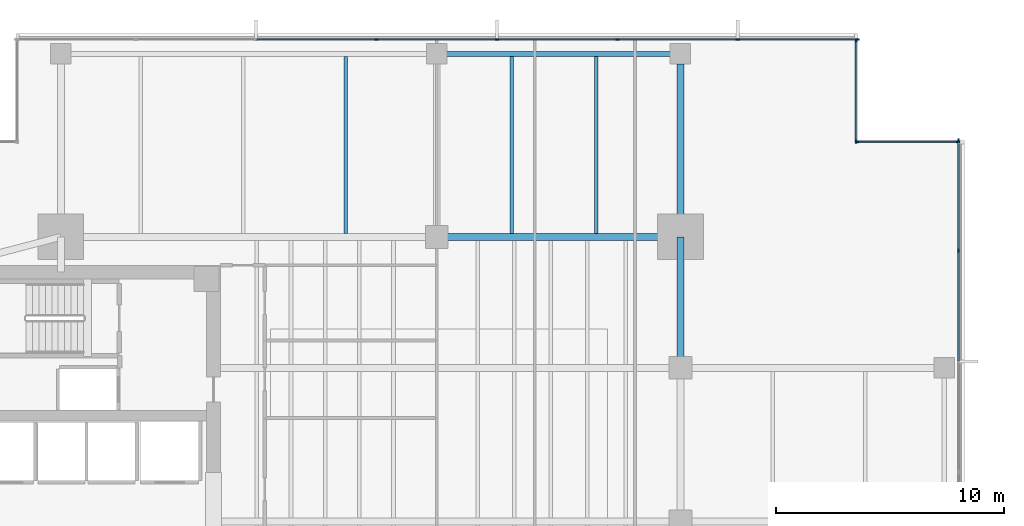
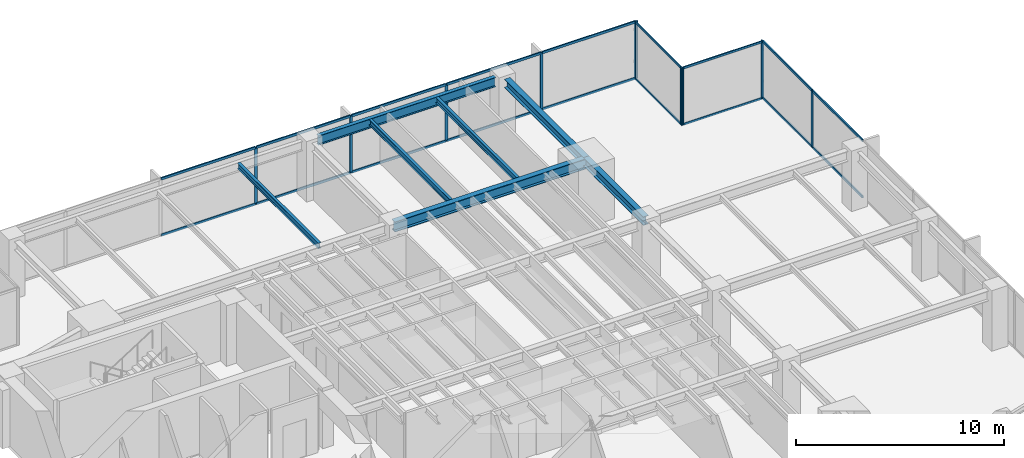
# One storey, part 6 of 14: 29 members, 7 beams, 4 elements without a shape of their own.
"""IFC4 building model written with IfcOpenShell, lengths in metres."""

import ifcopenshell
import ifcopenshell.guid

model = None  # the IFC model being written
_history = None  # IfcOwnerHistory: only IFC2X3 demands one
_inside = {}  # id of a spatial element -> (the spatial element, [elements in it])
_under = {}  # id of a project, library or spatial element -> (it, [spatial elements below it])
_declared = {}  # id of a project -> (the project, [libraries it declares])
_typed = {}  # id of a type object -> (the type object, [elements of that type])
_made_of = {}  # id of a material, layer set ... -> (it, [elements and type objects made of it])


def new_model(schema):
    """Start an empty IFC model of exactly this schema.

    Asked for "IFC4X3", IfcOpenShell would pick the latest addendum, in which some entities
    have other attributes; the version numbers below select the first issue.
    IFC2X3 requires an IfcOwnerHistory on every rooted entity: one is made here for all.
    """
    global model, _history
    if schema == "IFC4X3":
        model = ifcopenshell.file(schema_version=(4, 3, 0, 0))
    else:
        model = ifcopenshell.file(schema=schema)
    _inside.clear()
    _under.clear()
    _declared.clear()
    _typed.clear()
    _made_of.clear()
    _history = None
    if model.schema == "IFC2X3":
        org = make("IfcOrganization", Name="unknown")
        user = make(
            "IfcPersonAndOrganization",
            ThePerson=make("IfcPerson", FamilyName="unknown"),
            TheOrganization=org,
        )
        app = make(
            "IfcApplication",
            ApplicationDeveloper=org,
            Version="unknown",
            ApplicationFullName="unknown",
            ApplicationIdentifier="unknown",
        )
        _history = make(
            "IfcOwnerHistory",
            OwningUser=user,
            OwningApplication=app,
            ChangeAction="ADDED",
            CreationDate=0,
        )
    return model


def make(cls, **values):
    """One entity of the class cls with the attributes given. An attribute that is None is left unset."""
    return model.create_entity(
        cls, **{name: value for name, value in values.items() if value is not None}
    )


def rooted(cls, **values):
    """An entity with a GlobalId (a new one), such as an element, a storey or a relation."""
    return make(cls, GlobalId=ifcopenshell.guid.new(), OwnerHistory=_history, **values)


def si_unit(unit_type, name, prefix=None):
    """IfcSIUnit, for example si_unit("LENGTHUNIT", "METRE", prefix="MILLI")."""
    return make("IfcSIUnit", UnitType=unit_type, Prefix=prefix, Name=name)


def assignment(units):
    """IfcUnitAssignment: the units of a project."""
    return None if units is None else make("IfcUnitAssignment", Units=units)


def point(xyz):
    """IfcCartesianPoint."""
    return None if xyz is None else make("IfcCartesianPoint", Coordinates=xyz)


def direction(xyz):
    """IfcDirection."""
    return None if xyz is None else make("IfcDirection", DirectionRatios=xyz)


def frame(location, z_axis=None, x_axis=None):
    """IfcAxis2Placement3D, a coordinate frame: its origin and axes. An axis left out is left unset."""
    return make(
        "IfcAxis2Placement3D",
        Location=point(location),
        Axis=direction(z_axis),
        RefDirection=direction(x_axis),
    )


def frame_2d(location, x_axis=None):
    """IfcAxis2Placement2D, a coordinate frame in the plane: its origin and x axis."""
    return make(
        "IfcAxis2Placement2D", Location=point(location), RefDirection=direction(x_axis)
    )


def origin():
    """The frame at (0, 0, 0) with its axes left unset."""
    return frame((0.0, 0.0, 0.0))


def origin_2d():
    """The frame at (0, 0) in the plane with its x axis left unset."""
    return frame_2d((0.0, 0.0))


def place(relative_to, where):
    """IfcLocalPlacement: puts the frame where relative to a parent placement (None: the world)."""
    return make(
        "IfcLocalPlacement", PlacementRelTo=relative_to, RelativePlacement=where
    )


def context(
    kind, dimensions, precision=None, world=None, true_north=None, identifier=None
):
    """IfcGeometricRepresentationContext, for example the 3D "Model" context."""
    return make(
        "IfcGeometricRepresentationContext",
        ContextIdentifier=identifier,
        ContextType=kind,
        CoordinateSpaceDimension=dimensions,
        Precision=precision,
        WorldCoordinateSystem=world,
        TrueNorth=true_north,
    )


def subcontext(parent, identifier, kind, view, scale=None):
    """IfcGeometricRepresentationSubContext, for example "Body" below "Model"."""
    return make(
        "IfcGeometricRepresentationSubContext",
        ContextIdentifier=identifier,
        ContextType=kind,
        ParentContext=parent,
        TargetScale=scale,
        TargetView=view,
    )


def project(units=None, contexts=None):
    """IfcProject with its units and contexts."""
    return rooted(
        "IfcProject",
        Name="project",
        RepresentationContexts=contexts,
        UnitsInContext=assignment(units),
    )


def spatial(cls, under=None, at=None, **own):
    """A site, building, storey or space (cls), placed at a placement, below another one or the project."""
    s = rooted(cls, ObjectPlacement=at, **own)
    if under is not None:
        _under.setdefault(under.id(), (under, []))[1].append(s)
    return s


def profile(cls, at=None, kind="AREA", **sizes):
    """A parametric profile (cls). Its sizes go by their IFC names, for example OverallWidth=200.0."""
    return make(cls, ProfileType=kind, Position=at, **sizes)


def rectangle(**sizes):
    """IfcRectangleProfileDef."""
    return profile("IfcRectangleProfileDef", **sizes)


def i_section(**sizes):
    """IfcIShapeProfileDef."""
    return profile("IfcIShapeProfileDef", **sizes)


def extrude(swept, where, along, depth):
    """IfcExtrudedAreaSolid: the profile swept, set in the frame where, extruded along a direction by depth."""
    return make(
        "IfcExtrudedAreaSolid",
        SweptArea=swept,
        Position=where,
        ExtrudedDirection=direction(along),
        Depth=depth,
    )


def shape(context_of_items, identifier, shape_type, items):
    """IfcShapeRepresentation: the items that make up one representation, for example the "Body"."""
    return make(
        "IfcShapeRepresentation",
        ContextOfItems=context_of_items,
        RepresentationIdentifier=identifier,
        RepresentationType=shape_type,
        Items=items,
    )


def material(Name=None, Category=None):
    """IfcMaterial."""
    return make("IfcMaterial", Name=Name, Category=Category)


def layer(
    of_material, thickness, ventilated=None, Name=None, Category=None, Priority=None
):
    """IfcMaterialLayer: one layer of a wall or slab, of a material (None: an air gap)."""
    return make(
        "IfcMaterialLayer",
        Material=of_material,
        LayerThickness=thickness,
        IsVentilated=ventilated,
        Name=Name,
        Category=Category,
        Priority=Priority,
    )


def layer_set(layers, Name=None):
    """IfcMaterialLayerSet."""
    return make("IfcMaterialLayerSet", MaterialLayers=layers, LayerSetName=Name)


def material_profile(
    of_material, cross_section, Name=None, Category=None, Priority=None
):
    """IfcMaterialProfile: a cross section and its material."""
    return make(
        "IfcMaterialProfile",
        Name=Name,
        Material=of_material,
        Profile=cross_section,
        Priority=Priority,
        Category=Category,
    )


def profile_set(profiles, Name=None, composite=None):
    """IfcMaterialProfileSet."""
    return make(
        "IfcMaterialProfileSet",
        Name=Name,
        MaterialProfiles=profiles,
        CompositeProfile=composite,
    )


def made_of(thing, what):
    """Note that an element or type object is made of a material, layer set ...; save() writes the relation."""
    if what is not None:
        _made_of.setdefault(what.id(), (what, []))[1].append(thing)
    return thing


def type_object(cls, material=None, **own):
    """A type object (cls), such as IfcWallType, which elements share."""
    return made_of(rooted(cls, **own), material)


def element(
    cls,
    number,
    at=None,
    inside=None,
    cuts=None,
    type_object=None,
    material=None,
    context=None,
    identifier="Body",
    shape_type=None,
    held_by="IfcProductDefinitionShape",
    body=None,
    shapes=None,
    **own,
):
    """One element of the class cls, such as IfcWall. Its Tag is "e" and its number.

    at: its placement. inside: the storey or other place that contains it. cuts: it is an
    opening in that element (IfcRelVoidsElement). A single representation is given by context,
    identifier, shape_type and body (its items); several are given by shapes. held_by: the class
    of the entity that holds the representations. save() writes the other relations.
    """
    e = rooted(cls, Tag="e%d" % number, ObjectPlacement=at, **own)
    if body is not None:
        shapes = [shape(context, identifier, shape_type, body)]
    if shapes is not None:
        e.Representation = make(held_by, Representations=shapes)
    if inside is not None:
        _inside.setdefault(inside.id(), (inside, []))[1].append(e)
    if cuts is not None:
        rooted(
            "IfcRelVoidsElement", RelatingBuildingElement=cuts, RelatedOpeningElement=e
        )
    if type_object is not None:
        _typed.setdefault(type_object.id(), (type_object, []))[1].append(e)
    return made_of(e, material)


def aggregate(whole, parts):
    """IfcRelAggregates: a whole, such as a stair, and the parts it consists of."""
    return rooted("IfcRelAggregates", RelatingObject=whole, RelatedObjects=parts)


def save(model, path):
    """Write the relations noted so far, then the file.

    IfcRelAggregates (storeys below a building ...), IfcRelContainedInSpatialStructure (elements
    in a storey), IfcRelDefinesByType, IfcRelAssociatesMaterial and IfcRelDeclares: one each for
    every whole, place, type object, material and project.
    """
    for whole, parts in _under.values():
        aggregate(whole, parts)
    for where, things in _inside.values():
        rooted(
            "IfcRelContainedInSpatialStructure",
            RelatedElements=things,
            RelatingStructure=where,
        )
    for kind, things in _typed.values():
        rooted("IfcRelDefinesByType", RelatedObjects=things, RelatingType=kind)
    for what, things in _made_of.values():
        rooted("IfcRelAssociatesMaterial", RelatedObjects=things, RelatingMaterial=what)
    for by, libraries in _declared.values():
        rooted("IfcRelDeclares", RelatingContext=by, RelatedDefinitions=libraries)
    model.write(path)


model = new_model("IFC4")

# Units and contexts
model_context = context("Model", 3, precision=1e-05, world=origin(), true_north=direction((0.0, 1.0)))
body_context = subcontext(model_context, "Body", "Model", "MODEL_VIEW")
ifc_project = project(units=[si_unit("LENGTHUNIT", "METRE"), si_unit("AREAUNIT", "SQUARE_METRE"), si_unit("VOLUMEUNIT", "CUBIC_METRE"), si_unit("PLANEANGLEUNIT", "RADIAN"), si_unit("MASSUNIT", "GRAM", prefix="KILO")], contexts=[model_context])

# Site, building, storey
site_placement = place(None, origin())
site = spatial("IfcSite", under=ifc_project, at=site_placement, CompositionType="ELEMENT")
building_placement = place(site_placement, origin())
building = spatial("IfcBuilding", under=site, at=building_placement, Name="Kinhvarn Gate Tower", CompositionType="ELEMENT")
storey_placement = place(building_placement, frame((0.0, 0.0, 134.199951171875)))
storey = spatial("IfcBuildingStorey", under=building, at=storey_placement, Name="L35", CompositionType="ELEMENT", Elevation=134.199951171875)

# Curtain wall, members
ifc_material_1 = material(Name="Anodised aluminium AW-6063", Category="aluminium")
ifc_layer_1 = layer(ifc_material_1, 0.179931640625)
ifc_layer_set_1 = layer_set([ifc_layer_1], Name="Anodised aluminium AW-6063")
curtain_wall_type_1 = type_object("IfcCurtainWallType", Name="CW-SYS-3", PredefinedType="NOTDEFINED", material=ifc_layer_set_1)
curtain_wall_1_placement = place(storey_placement, origin())
curtain_wall_1 = element("IfcCurtainWall", 1, at=curtain_wall_1_placement, inside=storey, type_object=curtain_wall_type_1, Name="Curtain Wall CW3 (L35)", PredefinedType="NOTDEFINED")
ifc_material_profile_1 = material_profile(ifc_material_1, rectangle(XDim=0.06494140625, YDim=0.159912109375, at=origin_2d()), Name="ALU 65x160")
ifc_profile_set_1 = profile_set([ifc_material_profile_1], Name="Anodised aluminium AW-6063")
member_type_1 = type_object("IfcMemberType", Name="CW-MUL-160", PredefinedType="MULLION", material=ifc_profile_set_1)
member_1_placement = place(storey_placement, frame((45.967529296875, 46.409912109375, 0.0), z_axis=(0.0, 0.0, 1.0), x_axis=(0.0, -1.0, 0.0)))
member_1 = element("IfcMember", 2, at=member_1_placement, type_object=member_type_1, Name="CW3 mullion 1", PredefinedType="MULLION", context=body_context, shape_type="SweptSolid", body=[
    extrude(rectangle(XDim=0.06494140625, YDim=0.159912109375, at=origin_2d()), origin(), (0.0, 0.0, 1.0), 3.3701171875),
])
member_2_placement = place(storey_placement, frame((40.71435546875, 46.409912109375, 0.0), z_axis=(0.0, 0.0, 1.0), x_axis=(0.0, -1.0, 0.0)))
member_2 = element("IfcMember", 3, at=member_2_placement, type_object=member_type_1, Name="CW3 mullion 2", PredefinedType="MULLION", context=body_context, shape_type="SweptSolid", body=[
    extrude(rectangle(XDim=0.06494140625, YDim=0.159912109375, at=origin_2d()), origin(), (0.0, 0.0, 1.0), 3.3701171875),
])
member_3_placement = place(storey_placement, frame((35.428466796875, 46.409912109375, 0.0), z_axis=(0.0, 0.0, 1.0), x_axis=(0.0, -1.0, 0.0)))
member_3 = element("IfcMember", 4, at=member_3_placement, type_object=member_type_1, Name="CW3 mullion 3", PredefinedType="MULLION", context=body_context, shape_type="SweptSolid", body=[
    extrude(rectangle(XDim=0.06494140625, YDim=0.159912109375, at=origin_2d()), origin(), (0.0, 0.0, 1.0), 3.3701171875),
])
member_4_placement = place(storey_placement, frame((30.142822265625, 46.409912109375, 0.0), z_axis=(0.0, 0.0, 1.0), x_axis=(0.0, -1.0, 0.0)))
member_4 = element("IfcMember", 5, at=member_4_placement, type_object=member_type_1, Name="CW3 mullion 4", PredefinedType="MULLION", context=body_context, shape_type="SweptSolid", body=[
    extrude(rectangle(XDim=0.06494140625, YDim=0.159912109375, at=origin_2d()), origin(), (0.0, 0.0, 1.0), 3.3701171875),
])
member_5_placement = place(storey_placement, frame((24.857177734375, 46.409912109375, 0.0), z_axis=(0.0, 0.0, 1.0), x_axis=(0.0, -1.0, 0.0)))
member_5 = element("IfcMember", 6, at=member_5_placement, type_object=member_type_1, Name="CW3 mullion 5", PredefinedType="MULLION", context=body_context, shape_type="SweptSolid", body=[
    extrude(rectangle(XDim=0.06494140625, YDim=0.159912109375, at=origin_2d()), origin(), (0.0, 0.0, 1.0), 3.3701171875),
])

curtain_wall_2_placement = place(storey_placement, origin())
curtain_wall_2 = element("IfcCurtainWall", 7, at=curtain_wall_2_placement, inside=storey, type_object=curtain_wall_type_1, Name="Curtain Wall CW3 (L35)", PredefinedType="NOTDEFINED")
member_6_placement = place(storey_placement, frame((50.409912109375, 37.142822265625, 0.0), z_axis=(0.0, 0.0, 1.0), x_axis=(-1.0, 0.0, 0.0)))
member_6 = element("IfcMember", 8, at=member_6_placement, type_object=member_type_1, Name="CW3 mullion 7", PredefinedType="MULLION", context=body_context, shape_type="SweptSolid", body=[
    extrude(rectangle(XDim=0.06494140625, YDim=0.159912109375, at=origin_2d()), origin(), (0.0, 0.0, 1.0), 3.3701171875),
])
member_7_placement = place(storey_placement, frame((50.409912109375, 41.967529296875, 0.0), z_axis=(0.0, 0.0, 1.0), x_axis=(-1.0, 0.0, 0.0)))
member_7 = element("IfcMember", 9, at=member_7_placement, type_object=member_type_1, Name="CW3 mullion 8", PredefinedType="MULLION", context=body_context, shape_type="SweptSolid", body=[
    extrude(rectangle(XDim=0.06494140625, YDim=0.159912109375, at=origin_2d()), origin(), (0.0, 0.0, 1.0), 3.3701171875),
])

ifc_layer_2 = layer(ifc_material_1, 0.179931640625)
ifc_layer_set_2 = layer_set([ifc_layer_2], Name="Anodised aluminium AW-6063")
curtain_wall_type_2 = type_object("IfcCurtainWallType", Name="CW-SYS-4", PredefinedType="NOTDEFINED", material=ifc_layer_set_2)
curtain_wall_3_placement = place(storey_placement, origin())
curtain_wall_3 = element("IfcCurtainWall", 10, at=curtain_wall_3_placement, inside=storey, type_object=curtain_wall_type_2, Name="Curtain Wall CW4 (L35)", PredefinedType="NOTDEFINED")
member_8_placement = place(storey_placement, frame((50.37744140625, 41.909912109375, 0.0), z_axis=(0.0, 0.0, 1.0), x_axis=(0.0, -1.0, 0.0)))
member_8 = element("IfcMember", 11, at=member_8_placement, type_object=member_type_1, Name="CW4 mullion 1", PredefinedType="MULLION", context=body_context, shape_type="SweptSolid", body=[
    extrude(rectangle(XDim=0.06494140625, YDim=0.159912109375, at=origin_2d()), origin(), (0.0, 0.0, 1.0), 3.3701171875),
])
member_9_placement = place(storey_placement, frame((45.9423828125, 41.909912109375, 0.0), z_axis=(0.0, 0.0, 1.0), x_axis=(0.0, -1.0, 0.0)))
member_9 = element("IfcMember", 12, at=member_9_placement, type_object=member_type_1, Name="CW4 mullion 2", PredefinedType="MULLION", context=body_context, shape_type="SweptSolid", body=[
    extrude(rectangle(XDim=0.06494140625, YDim=0.159912109375, at=origin_2d()), origin(), (0.0, 0.0, 1.0), 3.3701171875),
])

curtain_wall_4_placement = place(storey_placement, origin())
curtain_wall_4 = element("IfcCurtainWall", 13, at=curtain_wall_4_placement, inside=storey, type_object=curtain_wall_type_2, Name="Curtain Wall CW4 (L35)", PredefinedType="NOTDEFINED")
member_10_placement = place(storey_placement, frame((45.909912109375, 41.9423828125, 0.0), z_axis=(0.0, 0.0, 1.0), x_axis=(-1.0, 0.0, 0.0)))
member_10 = element("IfcMember", 14, at=member_10_placement, type_object=member_type_1, Name="CW4 mullion 1", PredefinedType="MULLION", context=body_context, shape_type="SweptSolid", body=[
    extrude(rectangle(XDim=0.06494140625, YDim=0.159912109375, at=origin_2d()), origin(), (0.0, 0.0, 1.0), 3.3701171875),
])
member_11_placement = place(storey_placement, frame((45.909912109375, 46.37744140625, 0.0), z_axis=(0.0, 0.0, 1.0), x_axis=(-1.0, 0.0, 0.0)))
member_11 = element("IfcMember", 15, at=member_11_placement, type_object=member_type_1, Name="CW4 mullion 2", PredefinedType="MULLION", context=body_context, shape_type="SweptSolid", body=[
    extrude(rectangle(XDim=0.06494140625, YDim=0.159912109375, at=origin_2d()), origin(), (0.0, 0.0, 1.0), 3.3701171875),
])

# Member
ifc_material_profile_2 = material_profile(ifc_material_1, rectangle(XDim=0.06494140625, YDim=0.1201171875, at=origin_2d()), Name="ALU 65x120")
ifc_profile_set_2 = profile_set([ifc_material_profile_2], Name="Anodised aluminium AW-6063")
member_type_2 = type_object("IfcMemberType", Name="CW-TRN-120", PredefinedType="USERDEFINED", material=ifc_profile_set_2)
member_12_placement = place(storey_placement, frame((50.344970703125, 41.909912109375, 0.032470703125), z_axis=(-1.0, 0.0, 0.0), x_axis=(0.0, -1.0, 0.0)))
member_12 = element("IfcMember", 16, at=member_12_placement, type_object=member_type_2, Name="CW4 transom 1.1", ObjectType="TRANSOM", PredefinedType="USERDEFINED", context=body_context, shape_type="SweptSolid", body=[
    extrude(rectangle(XDim=0.06494140625, YDim=0.1201171875, at=origin_2d()), origin(), (0.0, 0.0, 1.0), 4.369873046875),
])

member_13_placement = place(storey_placement, frame((50.344970703125, 41.909912109375, 3.337646484375), z_axis=(-1.0, 0.0, 0.0), x_axis=(0.0, -1.0, 0.0)))
member_13 = element("IfcMember", 17, at=member_13_placement, type_object=member_type_2, Name="CW4 transom 1.2", ObjectType="TRANSOM", PredefinedType="USERDEFINED", context=body_context, shape_type="SweptSolid", body=[
    extrude(rectangle(XDim=0.06494140625, YDim=0.1201171875, at=origin_2d()), origin(), (0.0, 0.0, 1.0), 4.369873046875),
])

aggregate(curtain_wall_3, [member_8, member_9, member_12, member_13])

member_14_placement = place(storey_placement, frame((45.909912109375, 41.97509765625, 0.032470703125), z_axis=(0.0, 1.0, 0.0), x_axis=(-1.0, 0.0, 0.0)))
member_14 = element("IfcMember", 18, at=member_14_placement, type_object=member_type_2, Name="CW4 transom 1.1", ObjectType="TRANSOM", PredefinedType="USERDEFINED", context=body_context, shape_type="SweptSolid", body=[
    extrude(rectangle(XDim=0.06494140625, YDim=0.1201171875, at=origin_2d()), origin(), (0.0, 0.0, 1.0), 4.369873046875),
])

member_15_placement = place(storey_placement, frame((45.909912109375, 41.97509765625, 3.337646484375), z_axis=(0.0, 1.0, 0.0), x_axis=(-1.0, 0.0, 0.0)))
member_15 = element("IfcMember", 19, at=member_15_placement, type_object=member_type_2, Name="CW4 transom 1.2", ObjectType="TRANSOM", PredefinedType="USERDEFINED", context=body_context, shape_type="SweptSolid", body=[
    extrude(rectangle(XDim=0.06494140625, YDim=0.1201171875, at=origin_2d()), origin(), (0.0, 0.0, 1.0), 4.369873046875),
])

aggregate(curtain_wall_4, [member_10, member_11, member_14, member_15])

ifc_material_profile_3 = material_profile(ifc_material_1, rectangle(XDim=0.070068359375, YDim=0.139892578125, at=origin_2d()), Name="ALU 70x140")
ifc_profile_set_3 = profile_set([ifc_material_profile_3], Name="Anodised aluminium AW-6063")
member_type_3 = type_object("IfcMemberType", Name="CW-TRN-140", PredefinedType="USERDEFINED", material=ifc_profile_set_3)
member_16_placement = place(storey_placement, frame((45.93505859375, 46.409912109375, 0.03515625), z_axis=(-1.0, 0.0, 0.0), x_axis=(0.0, -1.0, 0.0)))
member_16 = element("IfcMember", 20, at=member_16_placement, type_object=member_type_3, Name="CW3 transom 1.1", ObjectType="TRANSOM", PredefinedType="USERDEFINED", context=body_context, shape_type="SweptSolid", body=[
    extrude(rectangle(XDim=0.070068359375, YDim=0.139892578125, at=origin_2d()), origin(), (0.0, 0.0, 1.0), 5.188232421875),
])

member_17_placement = place(storey_placement, frame((45.93505859375, 46.409912109375, 3.3349609375), z_axis=(-1.0, 0.0, 0.0), x_axis=(0.0, -1.0, 0.0)))
member_17 = element("IfcMember", 21, at=member_17_placement, type_object=member_type_3, Name="CW3 transom 1.2", ObjectType="TRANSOM", PredefinedType="USERDEFINED", context=body_context, shape_type="SweptSolid", body=[
    extrude(rectangle(XDim=0.070068359375, YDim=0.139892578125, at=origin_2d()), origin(), (0.0, 0.0, 1.0), 5.188232421875),
])

member_18_placement = place(storey_placement, frame((40.681884765625, 46.409912109375, 0.03515625), z_axis=(-1.0, 0.0, 0.0), x_axis=(0.0, -1.0, 0.0)))
member_18 = element("IfcMember", 22, at=member_18_placement, type_object=member_type_3, Name="CW3 transom 2.1", ObjectType="TRANSOM", PredefinedType="USERDEFINED", context=body_context, shape_type="SweptSolid", body=[
    extrude(rectangle(XDim=0.070068359375, YDim=0.139892578125, at=origin_2d()), origin(), (0.0, 0.0, 1.0), 5.220703125),
])

member_19_placement = place(storey_placement, frame((40.681884765625, 46.409912109375, 3.3349609375), z_axis=(-1.0, 0.0, 0.0), x_axis=(0.0, -1.0, 0.0)))
member_19 = element("IfcMember", 23, at=member_19_placement, type_object=member_type_3, Name="CW3 transom 2.2", ObjectType="TRANSOM", PredefinedType="USERDEFINED", context=body_context, shape_type="SweptSolid", body=[
    extrude(rectangle(XDim=0.070068359375, YDim=0.139892578125, at=origin_2d()), origin(), (0.0, 0.0, 1.0), 5.220703125),
])

member_20_placement = place(storey_placement, frame((35.39599609375, 46.409912109375, 0.03515625), z_axis=(-1.0, 0.0, 0.0), x_axis=(0.0, -1.0, 0.0)))
member_20 = element("IfcMember", 24, at=member_20_placement, type_object=member_type_3, Name="CW3 transom 3.1", ObjectType="TRANSOM", PredefinedType="USERDEFINED", context=body_context, shape_type="SweptSolid", body=[
    extrude(rectangle(XDim=0.070068359375, YDim=0.139892578125, at=origin_2d()), origin(), (0.0, 0.0, 1.0), 5.220703125),
])

member_21_placement = place(storey_placement, frame((35.39599609375, 46.409912109375, 3.3349609375), z_axis=(-1.0, 0.0, 0.0), x_axis=(0.0, -1.0, 0.0)))
member_21 = element("IfcMember", 25, at=member_21_placement, type_object=member_type_3, Name="CW3 transom 3.2", ObjectType="TRANSOM", PredefinedType="USERDEFINED", context=body_context, shape_type="SweptSolid", body=[
    extrude(rectangle(XDim=0.070068359375, YDim=0.139892578125, at=origin_2d()), origin(), (0.0, 0.0, 1.0), 5.220703125),
])

member_22_placement = place(storey_placement, frame((30.1103515625, 46.409912109375, 0.03515625), z_axis=(-1.0, 0.0, 0.0), x_axis=(0.0, -1.0, 0.0)))
member_22 = element("IfcMember", 26, at=member_22_placement, type_object=member_type_3, Name="CW3 transom 4.1", ObjectType="TRANSOM", PredefinedType="USERDEFINED", context=body_context, shape_type="SweptSolid", body=[
    extrude(rectangle(XDim=0.070068359375, YDim=0.139892578125, at=origin_2d()), origin(), (0.0, 0.0, 1.0), 5.220703125),
])

member_23_placement = place(storey_placement, frame((30.1103515625, 46.409912109375, 3.3349609375), z_axis=(-1.0, 0.0, 0.0), x_axis=(0.0, -1.0, 0.0)))
member_23 = element("IfcMember", 27, at=member_23_placement, type_object=member_type_3, Name="CW3 transom 4.2", ObjectType="TRANSOM", PredefinedType="USERDEFINED", context=body_context, shape_type="SweptSolid", body=[
    extrude(rectangle(XDim=0.070068359375, YDim=0.139892578125, at=origin_2d()), origin(), (0.0, 0.0, 1.0), 5.220703125),
])

member_24_placement = place(storey_placement, frame((24.82470703125, 46.409912109375, 0.03515625), z_axis=(-1.0, 0.0, 0.0), x_axis=(0.0, -1.0, 0.0)))
member_24 = element("IfcMember", 28, at=member_24_placement, type_object=member_type_3, Name="CW3 transom 5.1", ObjectType="TRANSOM", PredefinedType="USERDEFINED", context=body_context, shape_type="SweptSolid", body=[
    extrude(rectangle(XDim=0.070068359375, YDim=0.139892578125, at=origin_2d()), origin(), (0.0, 0.0, 1.0), 5.220703125),
])

member_25_placement = place(storey_placement, frame((24.82470703125, 46.409912109375, 3.3349609375), z_axis=(-1.0, 0.0, 0.0), x_axis=(0.0, -1.0, 0.0)))
member_25 = element("IfcMember", 29, at=member_25_placement, type_object=member_type_3, Name="CW3 transom 5.2", ObjectType="TRANSOM", PredefinedType="USERDEFINED", context=body_context, shape_type="SweptSolid", body=[
    extrude(rectangle(XDim=0.070068359375, YDim=0.139892578125, at=origin_2d()), origin(), (0.0, 0.0, 1.0), 5.220703125),
])

aggregate(curtain_wall_1, [member_1, member_2, member_3, member_4, member_5, member_16, member_17, member_18, member_19, member_20, member_21, member_22, member_23, member_24, member_25])

member_26_placement = place(storey_placement, frame((50.409912109375, 32.318115234375, 0.03515625), z_axis=(0.0, 1.0, 0.0), x_axis=(-1.0, 0.0, 0.0)))
member_26 = element("IfcMember", 30, at=member_26_placement, type_object=member_type_3, Name="CW3 transom 6.1", ObjectType="TRANSOM", PredefinedType="USERDEFINED", context=body_context, shape_type="SweptSolid", body=[
    extrude(rectangle(XDim=0.070068359375, YDim=0.139892578125, at=origin_2d()), origin(), (0.0, 0.0, 1.0), 4.792236328125),
])

member_27_placement = place(storey_placement, frame((50.409912109375, 32.318115234375, 3.3349609375), z_axis=(0.0, 1.0, 0.0), x_axis=(-1.0, 0.0, 0.0)))
member_27 = element("IfcMember", 31, at=member_27_placement, type_object=member_type_3, Name="CW3 transom 6.2", ObjectType="TRANSOM", PredefinedType="USERDEFINED", context=body_context, shape_type="SweptSolid", body=[
    extrude(rectangle(XDim=0.070068359375, YDim=0.139892578125, at=origin_2d()), origin(), (0.0, 0.0, 1.0), 4.792236328125),
])

member_28_placement = place(storey_placement, frame((50.409912109375, 37.17529296875, 0.03515625), z_axis=(0.0, 1.0, 0.0), x_axis=(-1.0, 0.0, 0.0)))
member_28 = element("IfcMember", 32, at=member_28_placement, type_object=member_type_3, Name="CW3 transom 7.1", ObjectType="TRANSOM", PredefinedType="USERDEFINED", context=body_context, shape_type="SweptSolid", body=[
    extrude(rectangle(XDim=0.070068359375, YDim=0.139892578125, at=origin_2d()), origin(), (0.0, 0.0, 1.0), 4.759765625),
])

member_29_placement = place(storey_placement, frame((50.409912109375, 37.17529296875, 3.3349609375), z_axis=(0.0, 1.0, 0.0), x_axis=(-1.0, 0.0, 0.0)))
member_29 = element("IfcMember", 33, at=member_29_placement, type_object=member_type_3, Name="CW3 transom 7.2", ObjectType="TRANSOM", PredefinedType="USERDEFINED", context=body_context, shape_type="SweptSolid", body=[
    extrude(rectangle(XDim=0.070068359375, YDim=0.139892578125, at=origin_2d()), origin(), (0.0, 0.0, 1.0), 4.759765625),
])

aggregate(curtain_wall_2, [member_6, member_7, member_26, member_27, member_28, member_29])

# Beams
ifc_material_2 = material(Name="Steel S355", Category="steel")
ifc_material_profile_4 = material_profile(ifc_material_2, i_section(OverallWidth=0.300048828125, OverallDepth=0.5, WebThickness=0.014404296875, FlangeThickness=0.028076171875, at=origin_2d()), Name="HEB 500")
ifc_profile_set_4 = profile_set([ifc_material_profile_4], Name="Steel S355")
beam_type_1 = type_object("IfcBeamType", Name="STL-HEB500", PredefinedType="BEAM", material=ifc_profile_set_4)
beam_1_placement = place(storey_placement, frame((38.199951171875, 37.75, 3.1201171875), z_axis=(0.0, 1.0, 0.0), x_axis=(-1.0, 0.0, 0.0)))
element("IfcBeam", 34, at=beam_1_placement, inside=storey, type_object=beam_type_1, Name="Floor Beam PG-14 (L35 MCE-N)", PredefinedType="BEAM", context=body_context, shape_type="SweptSolid", body=[
    extrude(i_section(OverallWidth=0.300048828125, OverallDepth=0.5, WebThickness=0.014404296875, FlangeThickness=0.028076171875, at=origin_2d()), origin(), (0.0, 0.0, 1.0), 7.594970703125),
])
beam_2_placement = place(storey_placement, frame((38.199951171875, 32.0, 3.1201171875), z_axis=(0.0, 1.0, 0.0), x_axis=(-1.0, 0.0, 0.0)))
element("IfcBeam", 35, at=beam_2_placement, inside=storey, type_object=beam_type_1, Name="Floor Beam PG-14 (L35 MG-E-32)", PredefinedType="BEAM", context=body_context, shape_type="SweptSolid", body=[
    extrude(i_section(OverallWidth=0.300048828125, OverallDepth=0.5, WebThickness=0.014404296875, FlangeThickness=0.028076171875, at=origin_2d()), origin(), (0.0, 0.0, 1.0), 5.75),
])
ifc_material_profile_5 = material_profile(ifc_material_2, i_section(OverallWidth=0.300048828125, OverallDepth=0.60009765625, WebThickness=0.015380859375, FlangeThickness=0.030029296875, at=origin_2d()), Name="HEB 600")
ifc_profile_set_5 = profile_set([ifc_material_profile_5], Name="Steel S355")
beam_type_2 = type_object("IfcBeamType", Name="STL-HEB600", PredefinedType="BEAM", material=ifc_profile_set_5)
beam_3_placement = place(storey_placement, frame((27.5, 37.75, 3.070068359375), z_axis=(1.0, 0.0, 0.0), x_axis=(0.0, 1.0, 0.0)))
element("IfcBeam", 36, at=beam_3_placement, inside=storey, type_object=beam_type_2, Name="Floor Beam PG-16 (L35 MG-N2)", PredefinedType="BEAM", context=body_context, shape_type="SweptSolid", body=[
    extrude(i_section(OverallWidth=0.300048828125, OverallDepth=0.60009765625, WebThickness=0.015380859375, FlangeThickness=0.030029296875, at=origin_2d()), origin(), (0.0, 0.0, 1.0), 10.699951171875),
])
ifc_material_profile_6 = material_profile(ifc_material_2, i_section(OverallWidth=0.159912109375, OverallDepth=0.330078125, WebThickness=0.007568359375, FlangeThickness=0.011474609375, at=origin_2d()), Name="IPE 330")
ifc_profile_set_6 = profile_set([ifc_material_profile_6], Name="Steel S355")
beam_type_3 = type_object("IfcBeamType", Name="STL-IPE330", PredefinedType="JOIST", material=ifc_profile_set_6)
for number, where, z_axis, x_axis, name in (
    (37, (23.5, 37.89990234375, 3.205078125), (0.0, 1.0, 0.0), (-1.0, 0.0, 0.0), "Floor Joist SB-03 (L35 JN-X235)"),
    (38, (30.800048828125, 37.89990234375, 3.205078125), (0.0, 1.0, 0.0), (-1.0, 0.0, 0.0), "Floor Joist SB-03 (L35 JN-X308)"),
    (39, (34.5, 37.89990234375, 3.205078125), (0.0, 1.0, 0.0), (-1.0, 0.0, 0.0), "Floor Joist SB-03 (L35 JN-X345)"),
):
    element("IfcBeam", number, at=place(storey_placement, frame(where, z_axis=z_axis, x_axis=x_axis)), inside=storey, type_object=beam_type_3, Name=name, PredefinedType="JOIST", context=body_context, shape_type="SweptSolid", body=[
        extrude(i_section(OverallWidth=0.159912109375, OverallDepth=0.330078125, WebThickness=0.007568359375, FlangeThickness=0.011474609375, at=origin_2d()), origin(), (0.0, 0.0, 1.0), 7.775146484375),
    ])
ifc_material_profile_7 = material_profile(ifc_material_2, i_section(OverallWidth=0.2099609375, OverallDepth=0.550048828125, WebThickness=0.010986328125, FlangeThickness=0.01708984375, at=origin_2d()), Name="IPE 550")
ifc_profile_set_7 = profile_set([ifc_material_profile_7], Name="Steel S355")
beam_type_4 = type_object("IfcBeamType", Name="STL-IPE550", PredefinedType="SPANDREL", material=ifc_profile_set_7)
beam_4_placement = place(storey_placement, frame((27.93505859375, 45.780029296875, 3.094970703125), z_axis=(1.0, 0.0, 0.0), x_axis=(0.0, 1.0, 0.0)))
element("IfcBeam", 40, at=beam_4_placement, inside=storey, type_object=beam_type_4, Name="Floor Spandrel SB-08 (L35 SP-N2)", PredefinedType="SPANDREL", context=body_context, shape_type="SweptSolid", body=[
    extrude(i_section(OverallWidth=0.2099609375, OverallDepth=0.550048828125, WebThickness=0.010986328125, FlangeThickness=0.01708984375, at=origin_2d()), origin(), (0.0, 0.0, 1.0), 9.829833984375),
])

save(model, "model.ifc")
